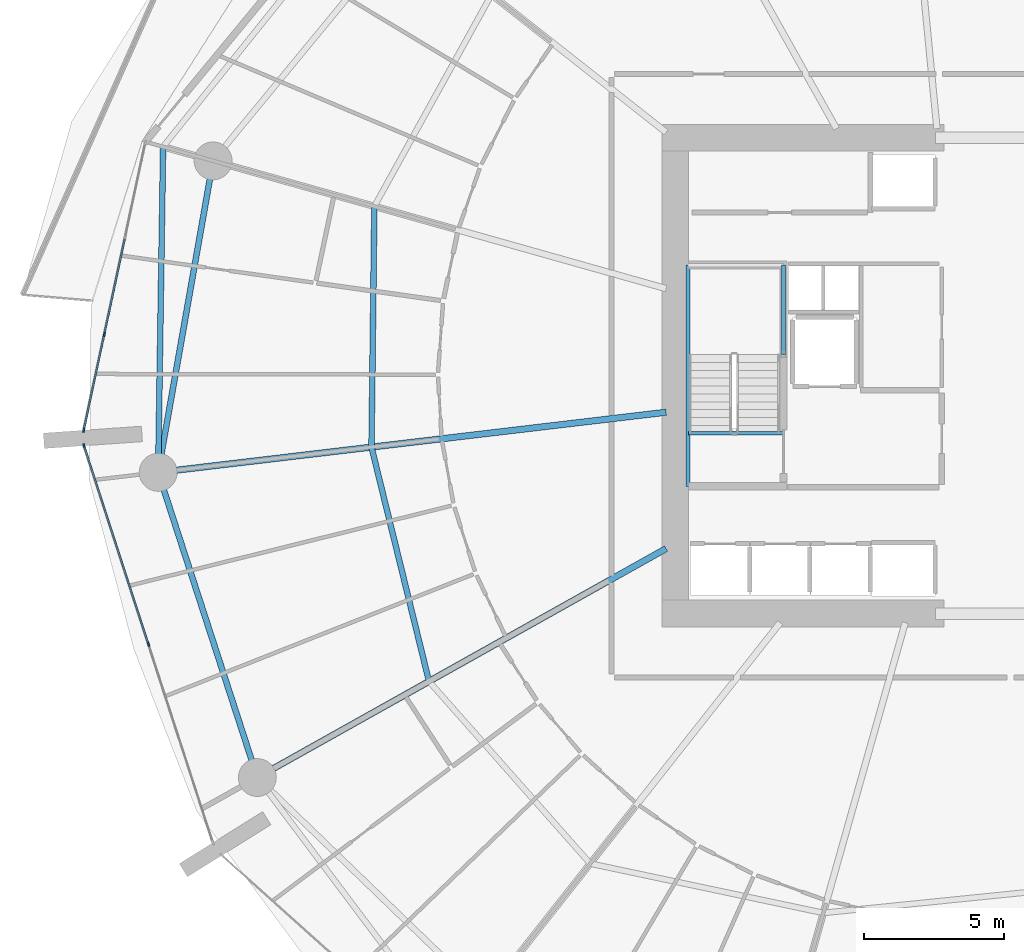
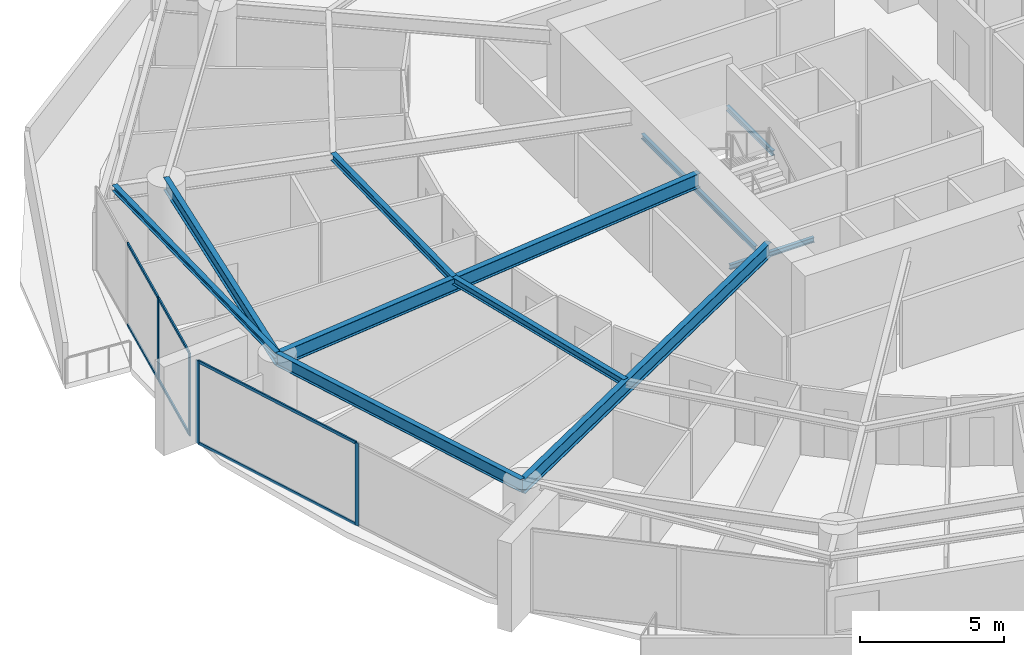
# One storey, part 9 of 31: 10 beams, 10 members, 2 elements without a shape of their own.
"""IFC4 building model written with IfcOpenShell, lengths in metres."""

from ifc_helpers import new_model, si_unit, direction, frame, origin, origin_2d, place, context, subcontext, project, spatial, rectangle, i_section, extrude, material, layer, layer_set, material_profile, profile_set, type_object, element, aggregate, save


model = new_model("IFC4")

# Units and contexts
model_context = context("Model", 3, precision=1e-05, world=origin(), true_north=direction((0.0, 1.0)))
body_context = subcontext(model_context, "Body", "Model", "MODEL_VIEW")
ifc_project = project(units=[si_unit("LENGTHUNIT", "METRE"), si_unit("AREAUNIT", "SQUARE_METRE"), si_unit("VOLUMEUNIT", "CUBIC_METRE"), si_unit("PLANEANGLEUNIT", "RADIAN"), si_unit("MASSUNIT", "GRAM", prefix="KILO")], contexts=[model_context])

# Site, building, storey
site_placement = place(None, origin())
site = spatial("IfcSite", under=ifc_project, at=site_placement, CompositionType="ELEMENT")
building_placement = place(site_placement, origin())
building = spatial("IfcBuilding", under=site, at=building_placement, Name="Kazma Halo Residences", CompositionType="ELEMENT")
storey_placement = place(building_placement, frame((0.0, 0.0, 45.14990234375)))
storey = spatial("IfcBuildingStorey", under=building, at=storey_placement, Name="L10", CompositionType="ELEMENT", Elevation=45.14990234375)

# Beams
ifc_material_1 = material(Name="Steel S355", Category="steel")
ifc_material_profile_1 = material_profile(ifc_material_1, i_section(OverallWidth=0.201904296875, OverallDepth=0.2470703125, WebThickness=0.00732421875, FlangeThickness=0.010986328125, FilletRadius=0.011962890625, at=origin_2d()), Name="W250x49.1")
ifc_profile_set_1 = profile_set([ifc_material_profile_1], Name="Steel S355")
beam_type_1 = type_object("IfcBeamType", Name="BM-BAL-CANT", PredefinedType="BEAM", material=ifc_profile_set_1)
beam_1_placement = place(storey_placement, frame((19.07861328125, 50.15673828125, 3.376708984375), z_axis=(-0.015213846033, -0.999884262747, 0.0), x_axis=(0.999884262747, -0.015213846033, 0.0)))
element("IfcBeam", 1, at=beam_1_placement, inside=storey, type_object=beam_type_1, Name="L10 wave-balcony tie beam 07", PredefinedType="BEAM", context=body_context, shape_type="SweptSolid", body=[
    extrude(i_section(OverallWidth=0.201904296875, OverallDepth=0.2470703125, WebThickness=0.00732421875, FlangeThickness=0.010986328125, FilletRadius=0.011962890625, at=origin_2d()), origin(), (0.0, 0.0, 1.0), 11.602294921875),
])
ifc_material_profile_2 = material_profile(ifc_material_1, i_section(OverallWidth=0.22802734375, OverallDepth=0.60791015625, WebThickness=0.01123046875, FlangeThickness=0.017333984375, FilletRadius=0.01806640625, at=origin_2d()), Name="W610x113")
ifc_profile_set_2 = profile_set([ifc_material_profile_2], Name="Steel S355")
beam_type_2 = type_object("IfcBeamType", Name="BM-RAD-W610", PredefinedType="BEAM", material=ifc_profile_set_2)
beam_2_placement = place(storey_placement, frame((37.0, 40.697998046875, 3.196044921875), z_axis=(-0.993068058728, -0.117540762013, 0.0), x_axis=(0.117540762013, -0.993068058728, 0.0)))
element("IfcBeam", 2, at=beam_2_placement, inside=storey, type_object=beam_type_2, Name="L10 radial floor beam 08", PredefinedType="BEAM", context=body_context, shape_type="SweptSolid", body=[
    extrude(i_section(OverallWidth=0.22802734375, OverallDepth=0.60791015625, WebThickness=0.01123046875, FlangeThickness=0.017333984375, FilletRadius=0.01806640625, at=origin_2d()), origin(), (0.0, 0.0, 1.0), 18.22412109375),
])
beam_3_placement = place(storey_placement, frame((37.0, 35.839599609375, 3.196044921875), z_axis=(-0.872496538947, -0.488620291767, 0.0), x_axis=(0.488620291767, -0.872496538947, 0.0)))
element("IfcBeam", 3, at=beam_3_placement, inside=storey, type_object=beam_type_2, Name="L10 radial floor beam 09", PredefinedType="BEAM", context=body_context, shape_type="SweptSolid", body=[
    extrude(i_section(OverallWidth=0.22802734375, OverallDepth=0.60791015625, WebThickness=0.01123046875, FlangeThickness=0.017333984375, FilletRadius=0.01806640625, at=origin_2d()), origin(), (0.0, 0.0, 1.0), 16.693359375),
])
ifc_material_profile_3 = material_profile(ifc_material_1, i_section(OverallWidth=0.202880859375, OverallDepth=0.302978515625, WebThickness=0.007568359375, FlangeThickness=0.01318359375, FilletRadius=0.013916015625, at=origin_2d()), Name="W310x60")
ifc_profile_set_3 = profile_set([ifc_material_profile_3], Name="Steel S355")
beam_type_3 = type_object("IfcBeamType", Name="BM-SEC-W310A", PredefinedType="JOIST", material=ifc_profile_set_3)
beam_4_placement = place(storey_placement, frame((26.605712890625, 48.033935546875, 3.3486328125), z_axis=(-0.011952697998, -0.999928563954, 0.0), x_axis=(0.999928563954, -0.011952697998, 0.0)))
element("IfcBeam", 4, at=beam_4_placement, inside=storey, type_object=beam_type_3, Name="L10 circumferential floor joist 07", PredefinedType="JOIST", context=body_context, shape_type="SweptSolid", body=[
    extrude(i_section(OverallWidth=0.202880859375, OverallDepth=0.302978515625, WebThickness=0.007568359375, FlangeThickness=0.01318359375, FilletRadius=0.013916015625, at=origin_2d()), origin(), (0.0, 0.0, 1.0), 8.578857421875),
])
beam_5_placement = place(storey_placement, frame((26.503173828125, 39.455810546875, 3.3486328125), z_axis=(0.238409585139, -0.971164697523, 0.0), x_axis=(0.971164697523, 0.238409585139, 0.0)))
element("IfcBeam", 5, at=beam_5_placement, inside=storey, type_object=beam_type_3, Name="L10 circumferential floor joist 08", PredefinedType="JOIST", context=body_context, shape_type="SweptSolid", body=[
    extrude(i_section(OverallWidth=0.202880859375, OverallDepth=0.302978515625, WebThickness=0.007568359375, FlangeThickness=0.01318359375, FilletRadius=0.013916015625, at=origin_2d()), origin(), (0.0, 0.0, 1.0), 8.5947265625),
])
ifc_material_profile_4 = material_profile(ifc_material_1, i_section(OverallWidth=0.208984375, OverallDepth=0.532958984375, WebThickness=0.01025390625, FlangeThickness=0.015625, FilletRadius=0.01611328125, at=origin_2d()), Name="W530x92")
ifc_profile_set_4 = profile_set([ifc_material_profile_4], Name="Steel S355")
beam_type_4 = type_object("IfcBeamType", Name="BM-SPN-W530", PredefinedType="BEAM", material=ifc_profile_set_4)
beam_6_placement = place(storey_placement, frame((20.859130859375, 49.654541015625, 3.233642578125), z_axis=(-0.173651864005, -0.984807103004, 0.0), x_axis=(0.984807103004, -0.173651864005, 0.0)))
element("IfcBeam", 6, at=beam_6_placement, inside=storey, type_object=beam_type_4, Name="L10 perimeter ring beam 07", PredefinedType="BEAM", context=body_context, shape_type="SweptSolid", body=[
    extrude(i_section(OverallWidth=0.208984375, OverallDepth=0.532958984375, WebThickness=0.01025390625, FlangeThickness=0.015625, FilletRadius=0.01611328125, at=origin_2d()), origin(), (0.0, 0.0, 1.0), 11.269775390625),
])
beam_7_placement = place(storey_placement, frame((18.902099609375, 38.555908203125, 3.233642578125), z_axis=(0.309024264898, -0.951054153928, 0.0), x_axis=(0.951054153928, 0.309024264898, 0.0)))
element("IfcBeam", 7, at=beam_7_placement, inside=storey, type_object=beam_type_4, Name="L10 perimeter ring beam 08", PredefinedType="BEAM", context=body_context, shape_type="SweptSolid", body=[
    extrude(i_section(OverallWidth=0.208984375, OverallDepth=0.532958984375, WebThickness=0.01025390625, FlangeThickness=0.015625, FilletRadius=0.01611328125, at=origin_2d()), origin(), (0.0, 0.0, 1.0), 11.4326171875),
])
ifc_material_profile_5 = material_profile(ifc_material_1, i_section(OverallWidth=0.133056640625, OverallDepth=0.20703125, WebThickness=0.005859375, FlangeThickness=0.00830078125, FilletRadius=0.010009765625, at=origin_2d()), Name="W200x26.6")
ifc_profile_set_5 = profile_set([ifc_material_profile_5], Name="Steel S355")
beam_type_5 = type_object("IfcBeamType", Name="BM-TRIM-W200", PredefinedType="BEAM", material=ifc_profile_set_5)
beam_8_placement = place(storey_placement, frame((37.800048828125, 39.949951171875, -0.35986328125), z_axis=(1.0, 0.0, 0.0), x_axis=(0.0, 1.0, 0.0)))
element("IfcBeam", 8, at=beam_8_placement, inside=storey, type_object=beam_type_5, Name="L10 ST-01 floor landing support beam", PredefinedType="BEAM", context=body_context, shape_type="SweptSolid", body=[
    extrude(i_section(OverallWidth=0.133056640625, OverallDepth=0.20703125, WebThickness=0.005859375, FlangeThickness=0.00830078125, FilletRadius=0.010009765625, at=origin_2d()), origin(), (0.0, 0.0, 1.0), 3.3798828125),
])
beam_9_placement = place(storey_placement, frame((37.780029296875, 38.06005859375, 1.570068359375), z_axis=(0.0, 1.0, 0.0), x_axis=(-1.0, 0.0, 0.0)))
element("IfcBeam", 9, at=beam_9_placement, inside=storey, type_object=beam_type_5, Name="L10 ST-01 landing west wall ledger", PredefinedType="BEAM", context=body_context, shape_type="SweptSolid", body=[
    extrude(i_section(OverallWidth=0.133056640625, OverallDepth=0.20703125, WebThickness=0.005859375, FlangeThickness=0.00830078125, FilletRadius=0.010009765625, at=origin_2d()), origin(), (0.0, 0.0, 1.0), 7.8798828125),
])
beam_10_placement = place(storey_placement, frame((41.179931640625, 42.75, 1.570068359375), z_axis=(0.0, 1.0, 0.0), x_axis=(-1.0, 0.0, 0.0)))
element("IfcBeam", 10, at=beam_10_placement, inside=storey, type_object=beam_type_5, Name="L10 ST-01 landing east wall ledger", PredefinedType="BEAM", context=body_context, shape_type="SweptSolid", body=[
    extrude(i_section(OverallWidth=0.133056640625, OverallDepth=0.20703125, WebThickness=0.005859375, FlangeThickness=0.00830078125, FilletRadius=0.010009765625, at=origin_2d()), origin(), (0.0, 0.0, 1.0), 3.18994140625),
])

# Curtain wall, members
ifc_material_2 = material(Name="Aluminium AW-6063 T6 and Triple-Silver Low-E Glass", Category="aluminium")
ifc_layer = layer(ifc_material_2, 0.159912109375)
ifc_layer_set = layer_set([ifc_layer], Name="Aluminium AW-6063 T6 and Triple-Silver Low-E Glass")
curtain_wall_type = type_object("IfcCurtainWallType", Name="CW-SYS-2", PredefinedType="NOTDEFINED", material=ifc_layer_set)
curtain_wall_1_placement = place(storey_placement, origin())
curtain_wall_1 = element("IfcCurtainWall", 11, at=curtain_wall_1_placement, inside=storey, type_object=curtain_wall_type, Name="L10 unitised curtain wall B07", PredefinedType="NOTDEFINED")
ifc_material_3 = material(Name="Aluminium AW-6063 T6", Category="aluminium")
ifc_material_profile_6 = material_profile(ifc_material_3, rectangle(XDim=0.06005859375, YDim=0.159912109375, at=origin_2d()), Name="CWM-60x160")
ifc_profile_set_6 = profile_set([ifc_material_profile_6], Name="Aluminium AW-6063 T6")
member_type_1 = type_object("IfcMemberType", Name="CW-SYS-2-MUL", PredefinedType="MULLION", material=ifc_profile_set_6)
member_1_placement = place(storey_placement, frame((16.980712890625, 43.46435546875, 0.0), z_axis=(0.0, 0.0, 1.0), x_axis=(0.977779215096, -0.209637321406, 0.0)))
member_1 = element("IfcMember", 12, at=member_1_placement, type_object=member_type_1, Name="CWS-2 mullion 3", PredefinedType="MULLION", context=body_context, shape_type="SweptSolid", body=[
    extrude(rectangle(XDim=0.06005859375, YDim=0.159912109375, at=origin_2d()), origin(), (0.0, 0.0, 1.0), 3.5),
])
member_2_placement = place(storey_placement, frame((16.25048828125, 40.059326171875, 0.0), z_axis=(0.0, 0.0, 1.0), x_axis=(0.977779215096, -0.209637321406, 0.0)))
member_2 = element("IfcMember", 13, at=member_2_placement, type_object=member_type_1, Name="CWS-2 mullion 4", PredefinedType="MULLION", context=body_context, shape_type="SweptSolid", body=[
    extrude(rectangle(XDim=0.06005859375, YDim=0.159912109375, at=origin_2d()), origin(), (0.0, 0.0, 1.0), 3.5),
])

curtain_wall_2_placement = place(storey_placement, origin())
curtain_wall_2 = element("IfcCurtainWall", 14, at=curtain_wall_2_placement, inside=storey, type_object=curtain_wall_type, Name="L10 unitised curtain wall B08", PredefinedType="NOTDEFINED")
member_3_placement = place(storey_placement, frame((16.26171875, 39.500732421875, 0.0), z_axis=(0.0, 0.0, 1.0), x_axis=(0.95105652404, 0.309016970539, 0.0)))
member_3 = element("IfcMember", 15, at=member_3_placement, type_object=member_type_1, Name="CWS-2 mullion 1", PredefinedType="MULLION", context=body_context, shape_type="SweptSolid", body=[
    extrude(rectangle(XDim=0.06005859375, YDim=0.159912109375, at=origin_2d()), origin(), (0.0, 0.0, 1.0), 3.5),
])
member_4_placement = place(storey_placement, frame((18.55810546875, 32.43359375, 0.0), z_axis=(0.0, 0.0, 1.0), x_axis=(0.95105652404, 0.309016970539, 0.0)))
member_4 = element("IfcMember", 16, at=member_4_placement, type_object=member_type_1, Name="CWS-2 mullion 2", PredefinedType="MULLION", context=body_context, shape_type="SweptSolid", body=[
    extrude(rectangle(XDim=0.06005859375, YDim=0.159912109375, at=origin_2d()), origin(), (0.0, 0.0, 1.0), 3.5),
])

# Member
ifc_material_profile_7 = material_profile(ifc_material_3, rectangle(XDim=0.06005859375, YDim=0.1201171875, at=origin_2d()), Name="CWT-60x120")
ifc_profile_set_7 = profile_set([ifc_material_profile_7], Name="Aluminium AW-6063 T6")
member_type_2 = type_object("IfcMemberType", Name="CW-SYS-2-TRN", PredefinedType="USERDEFINED", material=ifc_profile_set_7)
member_5_placement = place(storey_placement, frame((17.710693359375, 46.869384765625, 0.030029296875), z_axis=(-0.209669136217, -0.977772393412, 0.0), x_axis=(0.977772393412, -0.209669136217, 0.0)))
member_5 = element("IfcMember", 17, at=member_5_placement, type_object=member_type_2, Name="CWS-2 transom 2.1", ObjectType="TRANSOM", PredefinedType="USERDEFINED", context=body_context, shape_type="SweptSolid", body=[
    extrude(rectangle(XDim=0.06005859375, YDim=0.1201171875, at=origin_2d()), origin(), (0.0, 0.0, 1.0), 3.452392578125),
])

member_6_placement = place(storey_placement, frame((17.710693359375, 46.869384765625, 3.47021484375), z_axis=(-0.209669136217, -0.977772393412, 0.0), x_axis=(0.977772393412, -0.209669136217, 0.0)))
member_6 = element("IfcMember", 18, at=member_6_placement, type_object=member_type_2, Name="CWS-2 transom 2.2", ObjectType="TRANSOM", PredefinedType="USERDEFINED", context=body_context, shape_type="SweptSolid", body=[
    extrude(rectangle(XDim=0.06005859375, YDim=0.1201171875, at=origin_2d()), origin(), (0.0, 0.0, 1.0), 3.452392578125),
])

member_7_placement = place(storey_placement, frame((16.974365234375, 43.434814453125, 0.030029296875), z_axis=(-0.209665500897, -0.977773172946, 0.0), x_axis=(0.977773172946, -0.209665500897, 0.0)))
member_7 = element("IfcMember", 19, at=member_7_placement, type_object=member_type_2, Name="CWS-2 transom 3.1", ObjectType="TRANSOM", PredefinedType="USERDEFINED", context=body_context, shape_type="SweptSolid", body=[
    extrude(rectangle(XDim=0.06005859375, YDim=0.1201171875, at=origin_2d()), origin(), (0.0, 0.0, 1.0), 3.42236328125),
])

member_8_placement = place(storey_placement, frame((16.974365234375, 43.434814453125, 3.47021484375), z_axis=(-0.209665500897, -0.977773172946, 0.0), x_axis=(0.977773172946, -0.209665500897, 0.0)))
member_8 = element("IfcMember", 20, at=member_8_placement, type_object=member_type_2, Name="CWS-2 transom 3.2", ObjectType="TRANSOM", PredefinedType="USERDEFINED", context=body_context, shape_type="SweptSolid", body=[
    extrude(rectangle(XDim=0.06005859375, YDim=0.1201171875, at=origin_2d()), origin(), (0.0, 0.0, 1.0), 3.42236328125),
])

aggregate(curtain_wall_1, [member_1, member_2, member_5, member_6, member_7, member_8])

member_9_placement = place(storey_placement, frame((16.27099609375, 39.47216796875, 0.030029296875), z_axis=(0.309034393795, -0.951050862705, 0.0), x_axis=(0.951050862705, 0.309034393795, 0.0)))
member_9 = element("IfcMember", 21, at=member_9_placement, type_object=member_type_2, Name="CWS-2 transom 1.1", ObjectType="TRANSOM", PredefinedType="USERDEFINED", context=body_context, shape_type="SweptSolid", body=[
    extrude(rectangle(XDim=0.06005859375, YDim=0.1201171875, at=origin_2d()), origin(), (0.0, 0.0, 1.0), 7.370849609375),
])

member_10_placement = place(storey_placement, frame((16.27099609375, 39.47216796875, 3.47021484375), z_axis=(0.309034393795, -0.951050862705, 0.0), x_axis=(0.951050862705, 0.309034393795, 0.0)))
member_10 = element("IfcMember", 22, at=member_10_placement, type_object=member_type_2, Name="CWS-2 transom 1.2", ObjectType="TRANSOM", PredefinedType="USERDEFINED", context=body_context, shape_type="SweptSolid", body=[
    extrude(rectangle(XDim=0.06005859375, YDim=0.1201171875, at=origin_2d()), origin(), (0.0, 0.0, 1.0), 7.370849609375),
])

aggregate(curtain_wall_2, [member_3, member_4, member_9, member_10])

save(model, "model.ifc")
